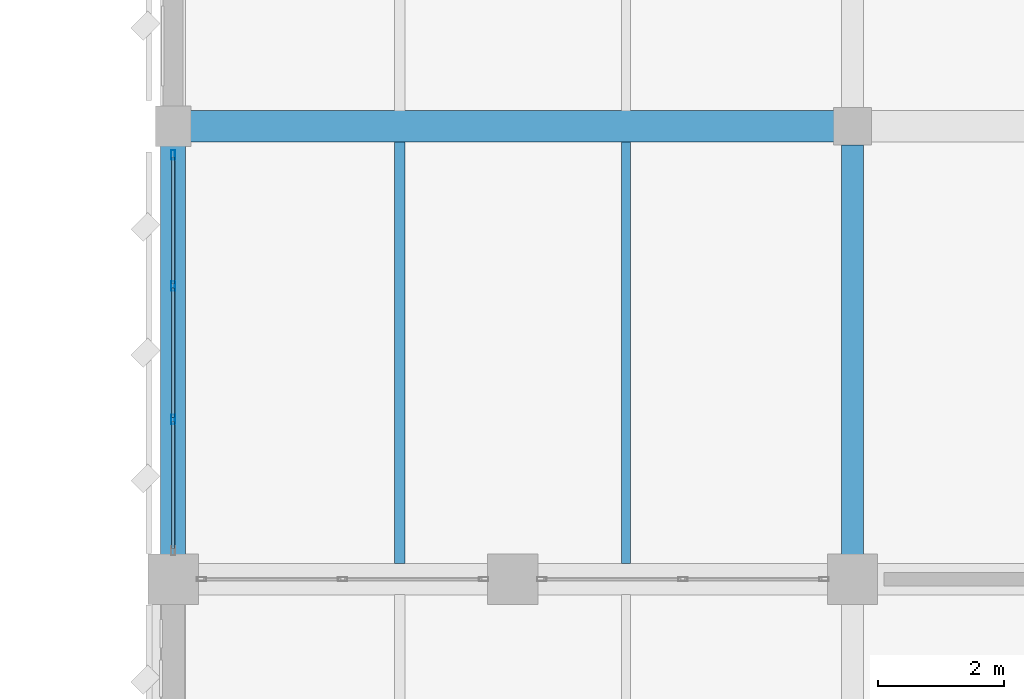
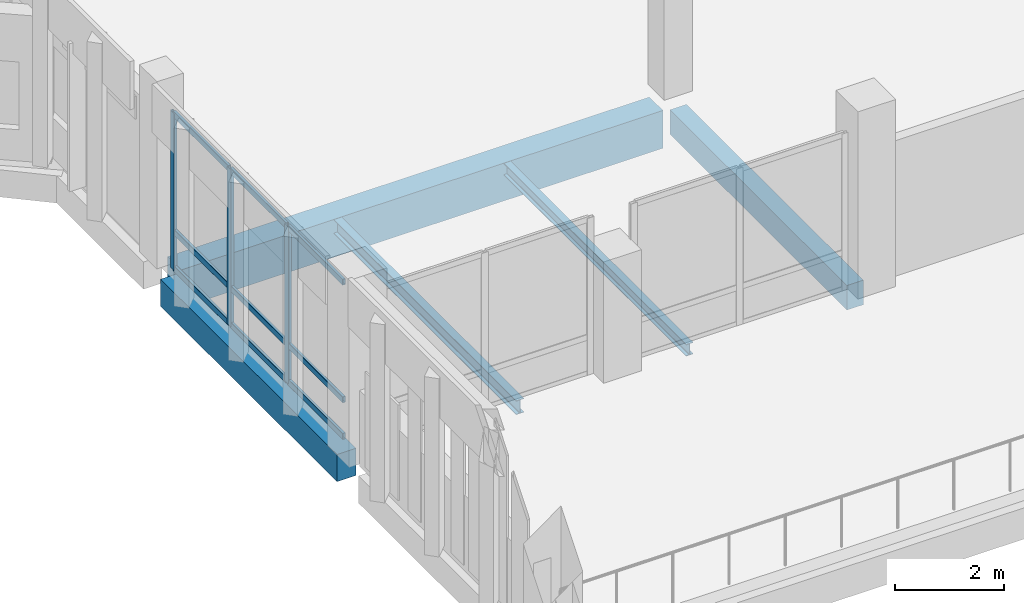
# One storey, part 10 of 158: 12 members, 5 beams, 1 element without a shape of its own.
"""IFC4 building model written with IfcOpenShell, lengths in metres."""

from ifc_helpers import new_model, si_unit, direction, frame, origin, origin_2d, place, context, subcontext, project, spatial, rectangle, hollow_rectangle, i_section, extrude, material, material_profile, profile_set, type_object, element, aggregate, save


model = new_model("IFC4")

# Units and contexts
model_context = context("Model", 3, precision=1e-05, world=origin(), true_north=direction((0.0, 1.0)))
body_context = subcontext(model_context, "Body", "Model", "MODEL_VIEW")
ifc_project = project(units=[si_unit("LENGTHUNIT", "METRE"), si_unit("AREAUNIT", "SQUARE_METRE"), si_unit("VOLUMEUNIT", "CUBIC_METRE"), si_unit("PLANEANGLEUNIT", "RADIAN"), si_unit("MASSUNIT", "GRAM", prefix="KILO")], contexts=[model_context])

# Site, building, storey
site_placement = place(None, origin())
site = spatial("IfcSite", under=ifc_project, at=site_placement, CompositionType="ELEMENT")
building_placement = place(site_placement, origin())
building = spatial("IfcBuilding", under=site, at=building_placement, Name="Lusvemor Sports Hall", CompositionType="ELEMENT")
storey_placement = place(building_placement, frame((0.0, 0.0, 10.800048828125)))
storey = spatial("IfcBuildingStorey", under=building, at=storey_placement, Name="L02", CompositionType="ELEMENT", Elevation=10.800048828125)

# Beam
ifc_material_1 = material(Name="Concrete C40/50", Category="concrete")
ifc_material_profile_1 = material_profile(ifc_material_1, rectangle(XDim=0.35009765625, YDim=0.550048828125, at=origin_2d()), Name="RC350x550")
ifc_profile_set_1 = profile_set([ifc_material_profile_1], Name="Concrete C40/50")
beam_type_1 = type_object("IfcBeamType", Name="BEAM_RC_550", PredefinedType="BEAM", material=ifc_profile_set_1)
beam_1_placement = place(storey_placement, frame((10.800048828125, 47.196044921875, -0.53515625), z_axis=(0.0, 1.0, 0.0), x_axis=(-1.0, 0.0, 0.0)))
element("IfcBeam", 1, at=beam_1_placement, inside=storey, type_object=beam_type_1, Name="Beam L02 2:F-G", PredefinedType="BEAM", context=body_context, shape_type="SweptSolid", body=[
    extrude(rectangle(XDim=0.35009765625, YDim=0.550048828125, at=origin_2d()), origin(), (0.0, 0.0, 1.0), 6.508056640625),
])

# Curtain wall, members
ifc_material_2 = material(Name="Thermally broken bronze-anodized aluminium", Category="aluminium")
curtain_wall_type = type_object("IfcCurtainWallType", Name="CW_WING_B", PredefinedType="NOTDEFINED", material=ifc_material_2)
curtain_wall_placement = place(storey_placement, origin())
curtain_wall = element("IfcCurtainWall", 2, at=curtain_wall_placement, inside=storey, type_object=curtain_wall_type, Name="Curtain Wall CW-L02-W-0-0", PredefinedType="NOTDEFINED")
ifc_material_3 = material(Name="Thermally broken bronze-anodized aluminium", Category="aluminium")
ifc_material_profile_2 = material_profile(ifc_material_3, hollow_rectangle(XDim=0.06494140625, YDim=0.14990234375, WallThickness=0.00390625, InnerFilletRadius=0.00390625, OuterFilletRadius=0.008056640625, at=origin_2d()), Name="CWMUL150x65x4")
ifc_profile_set_2 = profile_set([ifc_material_profile_2], Name="Thermally broken bronze-anodized aluminium")
member_type_1 = type_object("IfcMemberType", Name="CW_MUL_B", PredefinedType="MULLION", material=ifc_profile_set_2)
member_1_placement = place(storey_placement, frame((0.0, 49.340087890625, 0.0), z_axis=(0.0, 0.0, 1.0), x_axis=(-1.0, 0.0, 0.0)))
member_1 = element("IfcMember", 3, at=member_1_placement, type_object=member_type_1, Name="CW02 mullion 2", PredefinedType="MULLION", context=body_context, shape_type="SweptSolid", body=[
    extrude(hollow_rectangle(XDim=0.06494140625, YDim=0.14990234375, WallThickness=0.00390625, InnerFilletRadius=0.00390625, OuterFilletRadius=0.008056640625, at=origin_2d()), origin(), (0.0, 0.0, 1.0), 3.52001953125),
])
member_2_placement = place(storey_placement, frame((0.0, 51.4599609375, 0.0), z_axis=(0.0, 0.0, 1.0), x_axis=(-1.0, 0.0, 0.0)))
member_2 = element("IfcMember", 4, at=member_2_placement, type_object=member_type_1, Name="CW02 mullion 3", PredefinedType="MULLION", context=body_context, shape_type="SweptSolid", body=[
    extrude(hollow_rectangle(XDim=0.06494140625, YDim=0.14990234375, WallThickness=0.00390625, InnerFilletRadius=0.00390625, OuterFilletRadius=0.008056640625, at=origin_2d()), origin(), (0.0, 0.0, 1.0), 3.52001953125),
])
member_3_placement = place(storey_placement, frame((0.0, 53.547607421875, 0.0), z_axis=(0.0, 0.0, 1.0), x_axis=(-1.0, 0.0, 0.0)))
member_3 = element("IfcMember", 5, at=member_3_placement, type_object=member_type_1, Name="CW02 mullion 4", PredefinedType="MULLION", context=body_context, shape_type="SweptSolid", body=[
    extrude(hollow_rectangle(XDim=0.06494140625, YDim=0.14990234375, WallThickness=0.00390625, InnerFilletRadius=0.00390625, OuterFilletRadius=0.008056640625, at=origin_2d()), origin(), (0.0, 0.0, 1.0), 3.52001953125),
])
ifc_material_4 = material(Name="Thermally broken bronze-anodized aluminium", Category="aluminium")
ifc_material_profile_3 = material_profile(ifc_material_4, hollow_rectangle(XDim=0.06005859375, YDim=0.135009765625, WallThickness=0.00390625, InnerFilletRadius=0.00390625, OuterFilletRadius=0.008056640625, at=origin_2d()), Name="CWTRN135x60x4")
ifc_profile_set_3 = profile_set([ifc_material_profile_3], Name="Thermally broken bronze-anodized aluminium")
member_type_2 = type_object("IfcMemberType", Name="CW_TRN_B", PredefinedType="USERDEFINED", material=ifc_profile_set_3)
member_4_placement = place(storey_placement, frame((0.0, 47.284912109375, 0.030029296875), z_axis=(0.0, 1.0, 0.0), x_axis=(-1.0, 0.0, 0.0)))
member_4 = element("IfcMember", 6, at=member_4_placement, type_object=member_type_2, Name="CW02 transom 1.1", ObjectType="TRANSOM", PredefinedType="USERDEFINED", context=body_context, shape_type="SweptSolid", body=[
    extrude(hollow_rectangle(XDim=0.06005859375, YDim=0.135009765625, WallThickness=0.00390625, InnerFilletRadius=0.00390625, OuterFilletRadius=0.008056640625, at=origin_2d()), origin(), (0.0, 0.0, 1.0), 2.022705078125),
])
member_5_placement = place(storey_placement, frame((0.0, 47.284912109375, 0.849853515625), z_axis=(0.0, 1.0, 0.0), x_axis=(-1.0, 0.0, 0.0)))
member_5 = element("IfcMember", 7, at=member_5_placement, type_object=member_type_2, Name="CW02 transom 1.2", ObjectType="TRANSOM", PredefinedType="USERDEFINED", context=body_context, shape_type="SweptSolid", body=[
    extrude(hollow_rectangle(XDim=0.06005859375, YDim=0.135009765625, WallThickness=0.00390625, InnerFilletRadius=0.00390625, OuterFilletRadius=0.008056640625, at=origin_2d()), origin(), (0.0, 0.0, 1.0), 2.022705078125),
])
member_6_placement = place(storey_placement, frame((0.0, 47.284912109375, 3.489990234375), z_axis=(0.0, 1.0, 0.0), x_axis=(-1.0, 0.0, 0.0)))
member_6 = element("IfcMember", 8, at=member_6_placement, type_object=member_type_2, Name="CW02 transom 1.3", ObjectType="TRANSOM", PredefinedType="USERDEFINED", context=body_context, shape_type="SweptSolid", body=[
    extrude(hollow_rectangle(XDim=0.06005859375, YDim=0.135009765625, WallThickness=0.00390625, InnerFilletRadius=0.00390625, OuterFilletRadius=0.008056640625, at=origin_2d()), origin(), (0.0, 0.0, 1.0), 2.022705078125),
])
member_7_placement = place(storey_placement, frame((0.0, 49.37255859375, 0.030029296875), z_axis=(0.0, 1.0, 0.0), x_axis=(-1.0, 0.0, 0.0)))
member_7 = element("IfcMember", 9, at=member_7_placement, type_object=member_type_2, Name="CW02 transom 2.1", ObjectType="TRANSOM", PredefinedType="USERDEFINED", context=body_context, shape_type="SweptSolid", body=[
    extrude(hollow_rectangle(XDim=0.06005859375, YDim=0.135009765625, WallThickness=0.00390625, InnerFilletRadius=0.00390625, OuterFilletRadius=0.008056640625, at=origin_2d()), origin(), (0.0, 0.0, 1.0), 2.054931640625),
])
member_8_placement = place(storey_placement, frame((0.0, 49.37255859375, 0.849853515625), z_axis=(0.0, 1.0, 0.0), x_axis=(-1.0, 0.0, 0.0)))
member_8 = element("IfcMember", 10, at=member_8_placement, type_object=member_type_2, Name="CW02 transom 2.2", ObjectType="TRANSOM", PredefinedType="USERDEFINED", context=body_context, shape_type="SweptSolid", body=[
    extrude(hollow_rectangle(XDim=0.06005859375, YDim=0.135009765625, WallThickness=0.00390625, InnerFilletRadius=0.00390625, OuterFilletRadius=0.008056640625, at=origin_2d()), origin(), (0.0, 0.0, 1.0), 2.054931640625),
])
member_9_placement = place(storey_placement, frame((0.0, 49.37255859375, 3.489990234375), z_axis=(0.0, 1.0, 0.0), x_axis=(-1.0, 0.0, 0.0)))
member_9 = element("IfcMember", 11, at=member_9_placement, type_object=member_type_2, Name="CW02 transom 2.3", ObjectType="TRANSOM", PredefinedType="USERDEFINED", context=body_context, shape_type="SweptSolid", body=[
    extrude(hollow_rectangle(XDim=0.06005859375, YDim=0.135009765625, WallThickness=0.00390625, InnerFilletRadius=0.00390625, OuterFilletRadius=0.008056640625, at=origin_2d()), origin(), (0.0, 0.0, 1.0), 2.054931640625),
])
member_10_placement = place(storey_placement, frame((0.0, 51.492431640625, 0.030029296875), z_axis=(0.0, 1.0, 0.0), x_axis=(-1.0, 0.0, 0.0)))
member_10 = element("IfcMember", 12, at=member_10_placement, type_object=member_type_2, Name="CW02 transom 3.1", ObjectType="TRANSOM", PredefinedType="USERDEFINED", context=body_context, shape_type="SweptSolid", body=[
    extrude(hollow_rectangle(XDim=0.06005859375, YDim=0.135009765625, WallThickness=0.00390625, InnerFilletRadius=0.00390625, OuterFilletRadius=0.008056640625, at=origin_2d()), origin(), (0.0, 0.0, 1.0), 2.0224609375),
])
member_11_placement = place(storey_placement, frame((0.0, 51.492431640625, 0.849853515625), z_axis=(0.0, 1.0, 0.0), x_axis=(-1.0, 0.0, 0.0)))
member_11 = element("IfcMember", 13, at=member_11_placement, type_object=member_type_2, Name="CW02 transom 3.2", ObjectType="TRANSOM", PredefinedType="USERDEFINED", context=body_context, shape_type="SweptSolid", body=[
    extrude(hollow_rectangle(XDim=0.06005859375, YDim=0.135009765625, WallThickness=0.00390625, InnerFilletRadius=0.00390625, OuterFilletRadius=0.008056640625, at=origin_2d()), origin(), (0.0, 0.0, 1.0), 2.0224609375),
])
member_12_placement = place(storey_placement, frame((0.0, 51.492431640625, 3.489990234375), z_axis=(0.0, 1.0, 0.0), x_axis=(-1.0, 0.0, 0.0)))
member_12 = element("IfcMember", 14, at=member_12_placement, type_object=member_type_2, Name="CW02 transom 3.3", ObjectType="TRANSOM", PredefinedType="USERDEFINED", context=body_context, shape_type="SweptSolid", body=[
    extrude(hollow_rectangle(XDim=0.06005859375, YDim=0.135009765625, WallThickness=0.00390625, InnerFilletRadius=0.00390625, OuterFilletRadius=0.008056640625, at=origin_2d()), origin(), (0.0, 0.0, 1.0), 2.0224609375),
])
aggregate(curtain_wall, [member_1, member_2, member_3, member_4, member_5, member_6, member_7, member_8, member_9, member_10, member_11, member_12])

# Beams
ifc_material_5 = material(Name="Concrete C40/50", Category="concrete")
ifc_material_profile_4 = material_profile(ifc_material_5, rectangle(XDim=0.5, YDim=0.85009765625, at=origin_2d()), Name="RC500x850")
ifc_profile_set_4 = profile_set([ifc_material_profile_4], Name="Concrete C40/50")
beam_type_2 = type_object("IfcBeamType", Name="GIRD_RC_850", PredefinedType="T_BEAM", material=ifc_profile_set_4)
beam_2_placement = place(storey_placement, frame((0.27587890625, 54.0, -0.68505859375), z_axis=(1.0, 0.0, 0.0), x_axis=(0.0, 1.0, 0.0)))
element("IfcBeam", 15, at=beam_2_placement, inside=storey, type_object=beam_type_2, Name="Beam L02 G:1-2", PredefinedType="T_BEAM", context=body_context, shape_type="SweptSolid", body=[
    extrude(rectangle(XDim=0.5, YDim=0.85009765625, at=origin_2d()), origin(), (0.0, 0.0, 1.0), 10.22802734375),
])
ifc_material_6 = material(Name="Steel S355", Category="steel")
ifc_material_profile_5 = material_profile(ifc_material_6, i_section(OverallWidth=0.14794921875, OverallDepth=0.26611328125, WebThickness=0.007568359375, FlangeThickness=0.012939453125, FilletRadius=0.012939453125, at=origin_2d()), Name="W250x44.8")
ifc_profile_set_5 = profile_set([ifc_material_profile_5], Name="Steel S355")
beam_type_3 = type_object("IfcBeamType", Name="JOIST_ST_250M", PredefinedType="JOIST", material=ifc_profile_set_5)
beam_3_placement = place(storey_placement, frame((7.199951171875, 47.0458984375, -0.39697265625), z_axis=(0.0, 1.0, 0.0), x_axis=(-1.0, 0.0, 0.0)))
element("IfcBeam", 16, at=beam_3_placement, inside=storey, type_object=beam_type_3, Name="Secondary Joist L02 1-2/F-G #2", PredefinedType="JOIST", context=body_context, shape_type="SweptSolid", body=[
    extrude(i_section(OverallWidth=0.14794921875, OverallDepth=0.26611328125, WebThickness=0.007568359375, FlangeThickness=0.012939453125, FilletRadius=0.012939453125, at=origin_2d()), origin(), (0.0, 0.0, 1.0), 6.7080078125),
])
ifc_material_7 = material(Name="Steel S355", Category="steel")
ifc_material_profile_6 = material_profile(ifc_material_7, i_section(OverallWidth=0.1669921875, OverallDepth=0.31689453125, WebThickness=0.007568359375, FlangeThickness=0.01318359375, FilletRadius=0.014892578125, at=origin_2d()), Name="W310x52.0")
ifc_profile_set_6 = profile_set([ifc_material_profile_6], Name="Steel S355")
beam_type_4 = type_object("IfcBeamType", Name="JOIST_ST_310M", PredefinedType="JOIST", material=ifc_profile_set_6)
beam_4_placement = place(storey_placement, frame((3.60009765625, 47.0458984375, -0.422607421875), z_axis=(0.0, 1.0, 0.0), x_axis=(-1.0, 0.0, 0.0)))
element("IfcBeam", 17, at=beam_4_placement, inside=storey, type_object=beam_type_4, Name="Secondary Joist L02 1-2/F-G #1", PredefinedType="JOIST", context=body_context, shape_type="SweptSolid", body=[
    extrude(i_section(OverallWidth=0.1669921875, OverallDepth=0.31689453125, WebThickness=0.007568359375, FlangeThickness=0.01318359375, FilletRadius=0.014892578125, at=origin_2d()), origin(), (0.0, 0.0, 1.0), 6.7080078125),
])
ifc_material_8 = material(Name="Concrete C40/50", Category="concrete")
ifc_material_profile_7 = material_profile(ifc_material_8, rectangle(XDim=0.39990234375, YDim=0.610107421875, at=origin_2d()), Name="RC400x610")
ifc_profile_set_7 = profile_set([ifc_material_profile_7], Name="Concrete C40/50")
beam_type_5 = type_object("IfcBeamType", Name="SPAND_EXT_650", PredefinedType="SPANDREL", material=ifc_profile_set_7)
beam_5_placement = place(storey_placement, frame((0.0, 47.196044921875, -0.56494140625), z_axis=(0.0, 1.0, 0.0), x_axis=(-1.0, 0.0, 0.0)))
element("IfcBeam", 18, at=beam_5_placement, inside=storey, type_object=beam_type_5, Name="Beam L02 1:F-G", PredefinedType="SPANDREL", context=body_context, shape_type="SweptSolid", body=[
    extrude(rectangle(XDim=0.39990234375, YDim=0.610107421875, at=origin_2d()), origin(), (0.0, 0.0, 1.0), 6.488037109375),
])

save(model, "model.ifc")
